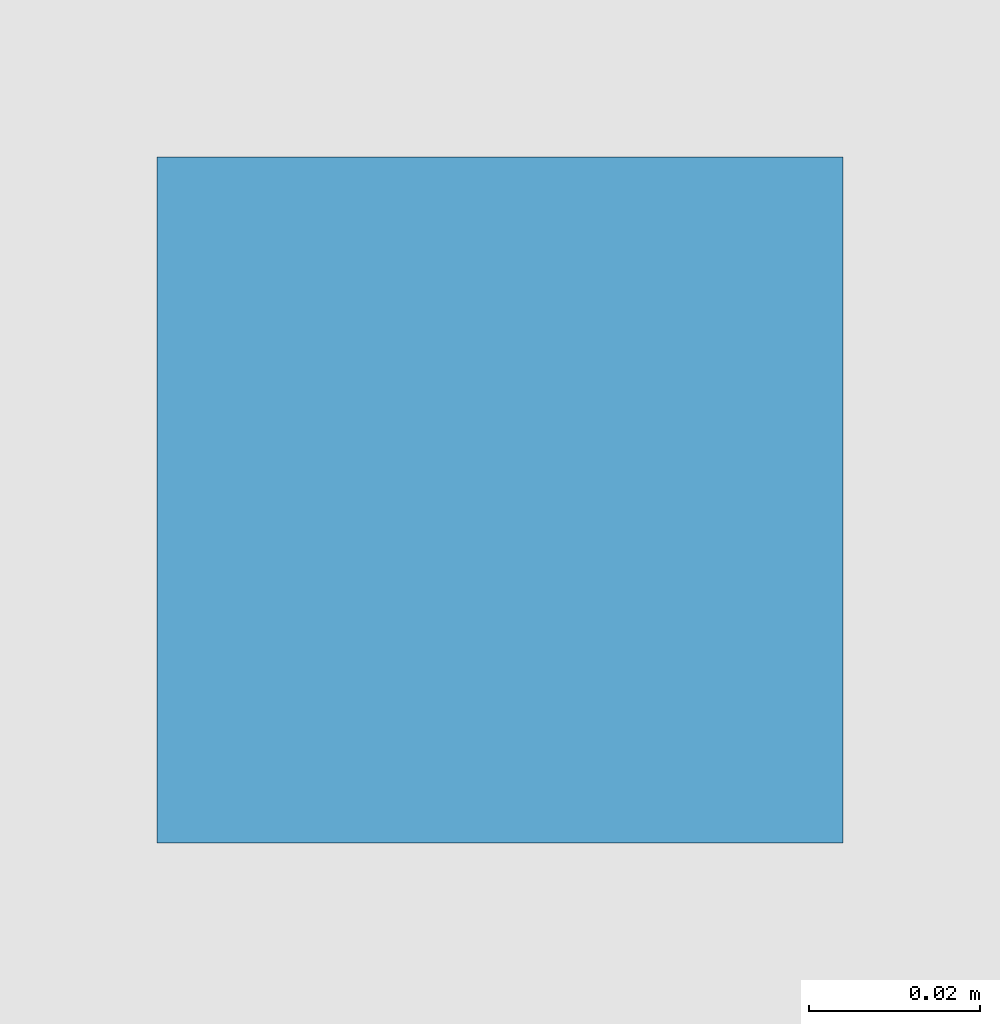
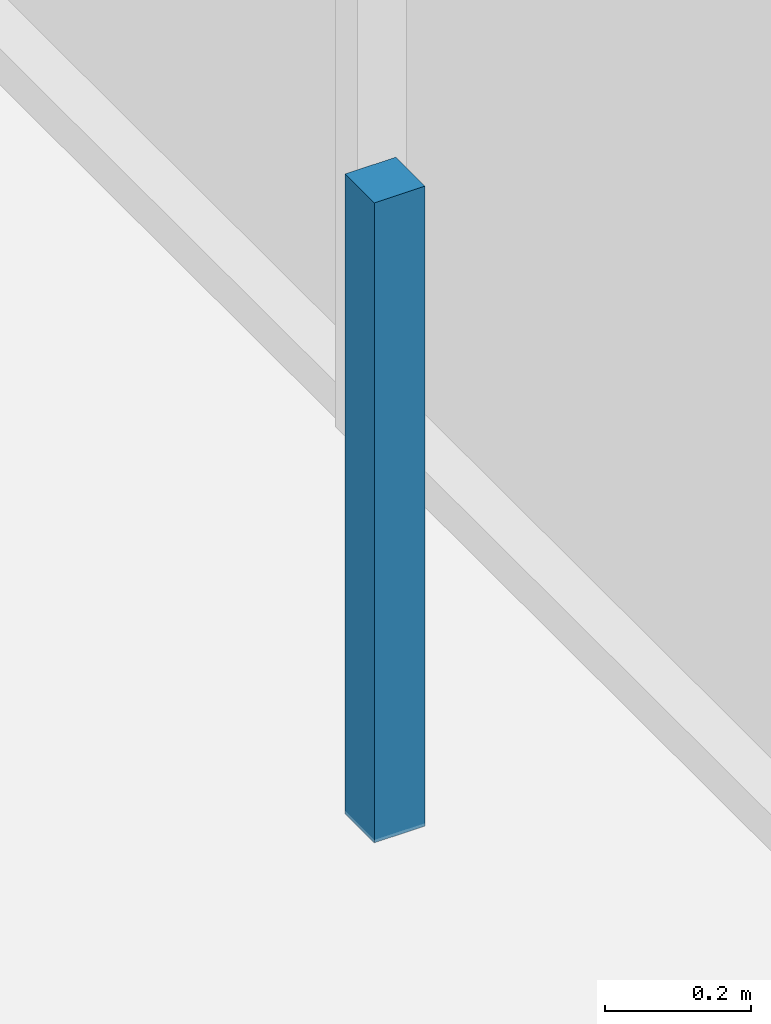
# One storey, part 90 of 103: 1 discrete accessory.
"""IFC4 building model written with IfcOpenShell, lengths in metres."""

from ifc_helpers import new_model, si_unit, direction, frame, origin, origin_2d, place, context, subcontext, project, spatial, rectangle, extrude, material, type_object, element, save


model = new_model("IFC4")

# Units and contexts
model_context = context("Model", 3, precision=1e-05, world=origin(), true_north=direction((0.0, 1.0)))
body_context = subcontext(model_context, "Body", "Model", "MODEL_VIEW")
ifc_project = project(units=[si_unit("LENGTHUNIT", "METRE"), si_unit("AREAUNIT", "SQUARE_METRE"), si_unit("VOLUMEUNIT", "CUBIC_METRE"), si_unit("PLANEANGLEUNIT", "RADIAN"), si_unit("MASSUNIT", "GRAM", prefix="KILO")], contexts=[model_context])

# Site, building, storey
site_placement = place(None, origin())
site = spatial("IfcSite", under=ifc_project, at=site_placement, CompositionType="ELEMENT")
building_placement = place(site_placement, origin())
building = spatial("IfcBuilding", under=site, at=building_placement, Name="Cazmaro Siding Exhibition Halls", CompositionType="ELEMENT")
storey_placement = place(building_placement, frame((0.0, 0.0, 16.5)))
storey = spatial("IfcBuildingStorey", under=building, at=storey_placement, Name="L03", CompositionType="ELEMENT", Elevation=16.5)

# Discrete accessory
ifc_material = material(Name="Steel ASTM A572 Grade 50", Category="steel")
discrete_accessory_type = type_object("IfcDiscreteAccessoryType", Name="SBK-02", PredefinedType="BRACKET", material=ifc_material)
discrete_accessory_placement = place(storey_placement, frame((33.199951171875, 63.5, 3.2197265625), z_axis=(0.0, 0.0, 1.0), x_axis=(1.0, 0.0, 0.0)))
element("IfcDiscreteAccessory", 1, at=discrete_accessory_placement, inside=storey, type_object=discrete_accessory_type, Name="Ceiling Cloud Hanger Bracket SBK-02 014", PredefinedType="BRACKET", context=body_context, shape_type="SweptSolid", body=[
    extrude(rectangle(XDim=0.080078125, YDim=0.080078125, at=origin_2d()), origin(), (0.0, 0.0, 1.0), 1.070068359375),
])

save(model, "model.ifc")
